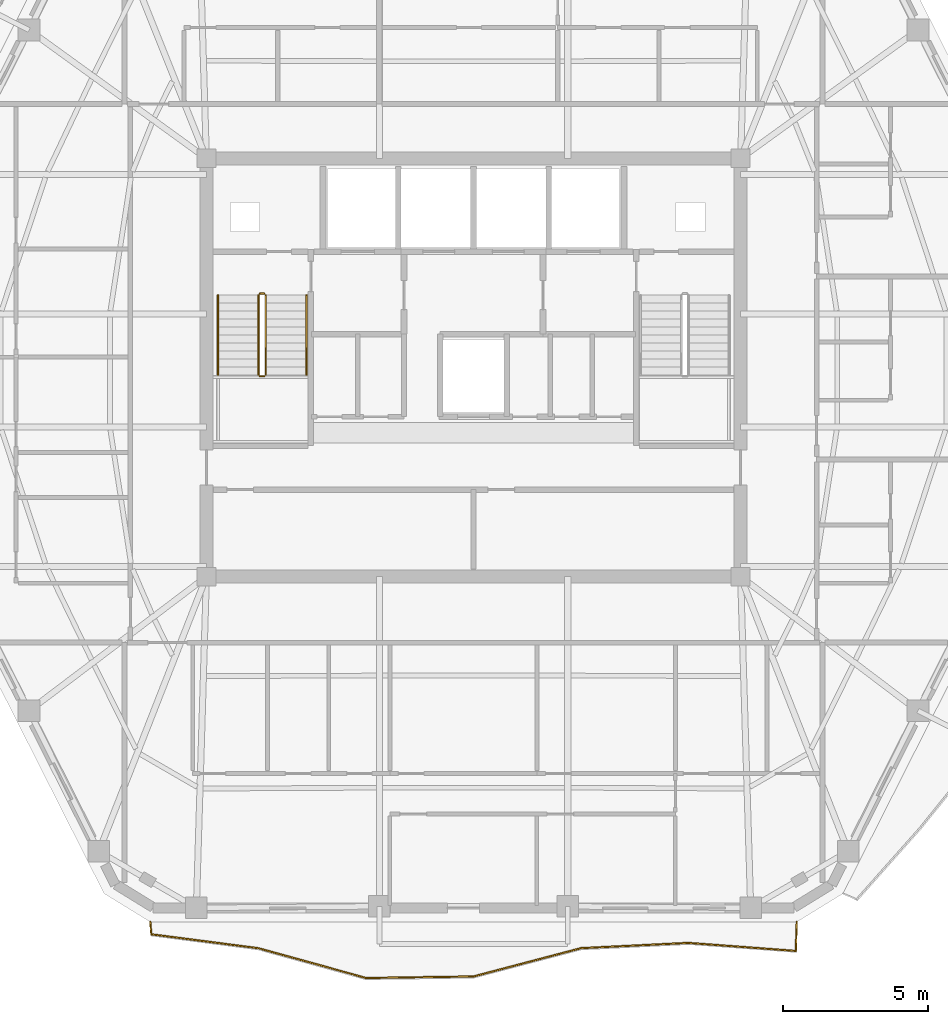
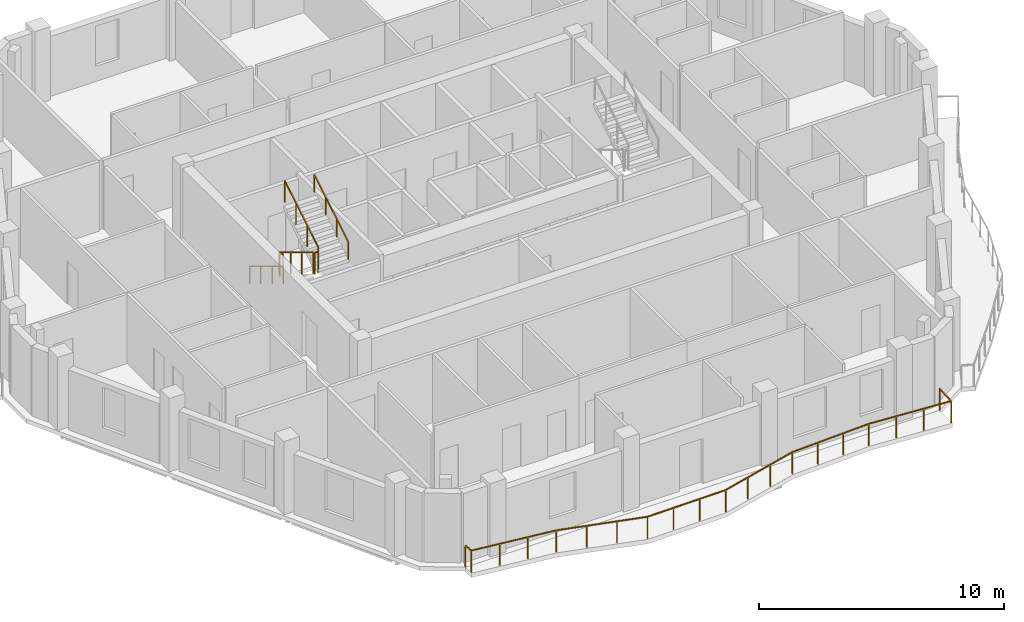
# One storey, part 9 of 11: 7 railings.
"""IFC4 building model written with IfcOpenShell, lengths in metres."""

from ifc_helpers import new_model, si_unit, direction, frame, origin, origin_2d, place, context, subcontext, project, spatial, rectangle, extrude, material, type_object, element, save


model = new_model("IFC4")

# Units and contexts
model_context = context("Model", 3, precision=1e-05, world=origin(), true_north=direction((0.0, 1.0)))
body_context = subcontext(model_context, "Body", "Model", "MODEL_VIEW")
ifc_project = project(units=[si_unit("LENGTHUNIT", "METRE"), si_unit("AREAUNIT", "SQUARE_METRE"), si_unit("VOLUMEUNIT", "CUBIC_METRE"), si_unit("PLANEANGLEUNIT", "RADIAN"), si_unit("MASSUNIT", "GRAM", prefix="KILO")], contexts=[model_context])

# Site, building, storey
site_placement = place(None, origin())
site = spatial("IfcSite", under=ifc_project, at=site_placement, CompositionType="ELEMENT")
building_placement = place(site_placement, origin())
building = spatial("IfcBuilding", under=site, at=building_placement, Name="Cinnabar Lancet Tower", CompositionType="ELEMENT")
storey_placement = place(building_placement, frame((0.0, 0.0, 248.89990234375)))
storey = spatial("IfcBuildingStorey", under=building, at=storey_placement, Name="L66", CompositionType="ELEMENT", Elevation=248.89990234375)

# Railings
ifc_material_1 = material(Name="Laminated safety glass and bronze stainless steel balustrade", Category="steel")
railing_type_1 = type_object("IfcRailingType", Name="ENV-RLG-BAL-1100", PredefinedType="BALUSTRADE", material=ifc_material_1)
railing_1_placement = place(storey_placement, frame((21.236083984375, 6.75, 0.0)))
element("IfcRailing", 1, at=railing_1_placement, inside=storey, type_object=railing_type_1, Name="L66 Face 1 Wave Balcony Balustrade", PredefinedType="BALUSTRADE", context=body_context, shape_type="SweptSolid", body=[
    extrude(rectangle(XDim=0.048095703125, YDim=0.048095703125, at=origin_2d()), frame((0.0, 0.0, 1.076171875), z_axis=(0.081861032024, -0.996643753523, 0.0), x_axis=(0.996643753523, 0.081861032024, 0.0)), (0.0, 0.0, 1.0), 0.426513671875),
    extrude(rectangle(XDim=0.048095703125, YDim=0.048095703125, at=origin_2d()), frame((0.034912109375, -0.425048828125, 1.076171875), z_axis=(0.991667959862, -0.128820252222, 0.0), x_axis=(0.128820252222, 0.991667959862, 0.0)), (0.0, 0.0, 1.0), 3.7412109375),
    extrude(rectangle(XDim=0.048095703125, YDim=0.048095703125, at=origin_2d()), frame((3.744873046875, -0.906982421875, 1.076171875), z_axis=(0.963748339114, -0.266812928577, 0.0), x_axis=(0.266812928577, 0.963748339114, 0.0)), (0.0, 0.0, 1.0), 3.849609375),
    extrude(rectangle(XDim=0.048095703125, YDim=0.048095703125, at=origin_2d()), frame((7.454833984375, -1.93408203125, 1.076171875), z_axis=(0.999898001657, 0.014282376669, 0.0), x_axis=(-0.014282376669, 0.999898001657, 0.0)), (0.0, 0.0, 1.0), 3.70947265625),
    extrude(rectangle(XDim=0.048095703125, YDim=0.048095703125, at=origin_2d()), frame((11.163818359375, -1.881103515625, 1.076171875), z_axis=(0.96699366608, 0.254800411618, 0.0), x_axis=(-0.254800411618, 0.96699366608, 0.0)), (0.0, 0.0, 1.0), 3.83447265625),
    extrude(rectangle(XDim=0.048095703125, YDim=0.048095703125, at=origin_2d()), frame((14.871826171875, -0.904052734375, 1.076171875), z_axis=(0.998797326033, 0.049029598291, 0.0), x_axis=(-0.049029598291, 0.998797326033, 0.0)), (0.0, 0.0, 1.0), 3.714599609375),
    extrude(rectangle(XDim=0.048095703125, YDim=0.048095703125, at=origin_2d()), frame((18.58203125, -0.721923828125, 1.076171875), z_axis=(0.997225176028, -0.074444263009, 0.0), x_axis=(0.074444263009, 0.997225176028, 0.0)), (0.0, 0.0, 1.0), 3.72216796875),
    extrude(rectangle(XDim=0.048095703125, YDim=0.048095703125, at=origin_2d()), frame((22.2939453125, -0.9990234375, 1.076171875), z_axis=(0.033949138587, 0.999423561854, 0.0), x_axis=(-0.999423561854, 0.033949138587, 0.0)), (0.0, 0.0, 1.0), 0.99951171875),
    extrude(rectangle(XDim=0.0419921875, YDim=0.0419921875, at=origin_2d()), origin(), (0.0, 0.0, 1.0), 1.052001953125),
    extrude(rectangle(XDim=0.0419921875, YDim=0.0419921875, at=origin_2d()), frame((0.034912109375, -0.425048828125, 0.0)), (0.0, 0.0, 1.0), 1.052001953125),
    extrude(rectangle(XDim=0.0419921875, YDim=0.0419921875, at=origin_2d()), frame((1.271484375, -0.585693359375, 0.0)), (0.0, 0.0, 1.0), 1.052001953125),
    extrude(rectangle(XDim=0.0419921875, YDim=0.0419921875, at=origin_2d()), frame((2.50830078125, -0.746337890625, 0.0)), (0.0, 0.0, 1.0), 1.052001953125),
    extrude(rectangle(XDim=0.0419921875, YDim=0.0419921875, at=origin_2d()), frame((3.744873046875, -0.906982421875, 0.0)), (0.0, 0.0, 1.0), 1.052001953125),
    extrude(rectangle(XDim=0.0419921875, YDim=0.0419921875, at=origin_2d()), frame((4.9814453125, -1.249267578125, 0.0)), (0.0, 0.0, 1.0), 1.052001953125),
    extrude(rectangle(XDim=0.0419921875, YDim=0.0419921875, at=origin_2d()), frame((6.21826171875, -1.591796875, 0.0)), (0.0, 0.0, 1.0), 1.052001953125),
    extrude(rectangle(XDim=0.0419921875, YDim=0.0419921875, at=origin_2d()), frame((7.454833984375, -1.93408203125, 0.0)), (0.0, 0.0, 1.0), 1.052001953125),
    extrude(rectangle(XDim=0.0419921875, YDim=0.0419921875, at=origin_2d()), frame((8.691162109375, -1.91650390625, 0.0)), (0.0, 0.0, 1.0), 1.052001953125),
    extrude(rectangle(XDim=0.0419921875, YDim=0.0419921875, at=origin_2d()), frame((9.927490234375, -1.898681640625, 0.0)), (0.0, 0.0, 1.0), 1.052001953125),
    extrude(rectangle(XDim=0.0419921875, YDim=0.0419921875, at=origin_2d()), frame((11.163818359375, -1.881103515625, 0.0)), (0.0, 0.0, 1.0), 1.052001953125),
    extrude(rectangle(XDim=0.0419921875, YDim=0.0419921875, at=origin_2d()), frame((12.39990234375, -1.555419921875, 0.0)), (0.0, 0.0, 1.0), 1.052001953125),
    extrude(rectangle(XDim=0.0419921875, YDim=0.0419921875, at=origin_2d()), frame((13.6357421875, -1.229736328125, 0.0)), (0.0, 0.0, 1.0), 1.052001953125),
    extrude(rectangle(XDim=0.0419921875, YDim=0.0419921875, at=origin_2d()), frame((14.871826171875, -0.904052734375, 0.0)), (0.0, 0.0, 1.0), 1.052001953125),
    extrude(rectangle(XDim=0.0419921875, YDim=0.0419921875, at=origin_2d()), frame((16.108642578125, -0.84326171875, 0.0)), (0.0, 0.0, 1.0), 1.052001953125),
    extrude(rectangle(XDim=0.0419921875, YDim=0.0419921875, at=origin_2d()), frame((17.34521484375, -0.78271484375, 0.0)), (0.0, 0.0, 1.0), 1.052001953125),
    extrude(rectangle(XDim=0.0419921875, YDim=0.0419921875, at=origin_2d()), frame((18.58203125, -0.721923828125, 0.0)), (0.0, 0.0, 1.0), 1.052001953125),
    extrude(rectangle(XDim=0.0419921875, YDim=0.0419921875, at=origin_2d()), frame((19.8193359375, -0.814208984375, 0.0)), (0.0, 0.0, 1.0), 1.052001953125),
    extrude(rectangle(XDim=0.0419921875, YDim=0.0419921875, at=origin_2d()), frame((21.056640625, -0.90673828125, 0.0)), (0.0, 0.0, 1.0), 1.052001953125),
    extrude(rectangle(XDim=0.0419921875, YDim=0.0419921875, at=origin_2d()), frame((22.2939453125, -0.9990234375, 0.0)), (0.0, 0.0, 1.0), 1.052001953125),
    extrude(rectangle(XDim=0.0419921875, YDim=0.0419921875, at=origin_2d()), frame((22.327880859375, 0.0, 0.0)), (0.0, 0.0, 1.0), 1.052001953125),
])
ifc_material_2 = material(Name="Painted galvanized steel balustrade", Category="steel")
railing_type_2 = type_object("IfcRailingType", Name="GUARD-STAIR", PredefinedType="GUARDRAIL", material=ifc_material_2)
railing_2_placement = place(storey_placement, frame((24.97509765625, 28.39990234375, 0.166015625)))
element("IfcRailing", 2, at=railing_2_placement, inside=storey, type_object=railing_type_2, Name="L66 ST-1 stair guard 1", PredefinedType="GUARDRAIL", context=body_context, shape_type="SweptSolid", body=[
    extrude(rectangle(XDim=0.048095703125, YDim=0.048095703125, at=origin_2d()), frame((0.0, 0.0, 1.076171875), z_axis=(0.0, -0.856229400918, 0.51659579267), x_axis=(1.0, 0.0, 0.0)), (0.0, 0.0, 1.0), 3.211669921875),
    extrude(rectangle(XDim=0.0419921875, YDim=0.0419921875, at=origin_2d()), origin(), (0.0, 0.0, 1.0), 1.052001953125),
    extrude(rectangle(XDim=0.0419921875, YDim=0.0419921875, at=origin_2d()), frame((0.0, -0.916748046875, 0.552978515625)), (0.0, 0.0, 1.0), 1.052001953125),
    extrude(rectangle(XDim=0.0419921875, YDim=0.0419921875, at=origin_2d()), frame((0.0, -1.833251953125, 1.106201171875)), (0.0, 0.0, 1.0), 1.052001953125),
    extrude(rectangle(XDim=0.0419921875, YDim=0.0419921875, at=origin_2d()), frame((0.0, -2.75, 1.6591796875)), (0.0, 0.0, 1.0), 1.052001953125),
])
railing_3_placement = place(storey_placement, frame((25.02490234375, 25.60009765625, 1.8251953125)))
element("IfcRailing", 3, at=railing_3_placement, inside=storey, type_object=railing_type_2, Name="L66 ST-1 stair guard 2", PredefinedType="GUARDRAIL", context=body_context, shape_type="SweptSolid", body=[
    extrude(rectangle(XDim=0.048095703125, YDim=0.048095703125, at=origin_2d()), frame((0.0, 0.0, 1.076171875), z_axis=(1.0, 0.0, 0.0), x_axis=(0.0, 1.0, 0.0)), (0.0, 0.0, 1.0), 0.150146484375),
    extrude(rectangle(XDim=0.0419921875, YDim=0.0419921875, at=origin_2d()), origin(), (0.0, 0.0, 1.0), 1.052001953125),
    extrude(rectangle(XDim=0.0419921875, YDim=0.0419921875, at=origin_2d()), frame((0.150146484375, 0.0, 0.0)), (0.0, 0.0, 1.0), 1.052001953125),
])
railing_4_placement = place(storey_placement, frame((25.22509765625, 25.64990234375, 1.990966796875)))
element("IfcRailing", 4, at=railing_4_placement, inside=storey, type_object=railing_type_2, Name="L66 ST-1 stair guard 3", PredefinedType="GUARDRAIL", context=body_context, shape_type="SweptSolid", body=[
    extrude(rectangle(XDim=0.048095703125, YDim=0.048095703125, at=origin_2d()), frame((0.0, 0.0, 1.076171875), z_axis=(0.0, 0.856229400918, 0.51659579267), x_axis=(-1.0, 0.0, 0.0)), (0.0, 0.0, 1.0), 3.211669921875),
    extrude(rectangle(XDim=0.0419921875, YDim=0.0419921875, at=origin_2d()), origin(), (0.0, 0.0, 1.0), 1.052001953125),
    extrude(rectangle(XDim=0.0419921875, YDim=0.0419921875, at=origin_2d()), frame((0.0, 0.916748046875, 0.552978515625)), (0.0, 0.0, 1.0), 1.052001953125),
    extrude(rectangle(XDim=0.0419921875, YDim=0.0419921875, at=origin_2d()), frame((0.0, 1.833251953125, 1.106201171875)), (0.0, 0.0, 1.0), 1.052001953125),
    extrude(rectangle(XDim=0.0419921875, YDim=0.0419921875, at=origin_2d()), frame((0.0, 2.75, 1.6591796875)), (0.0, 0.0, 1.0), 1.052001953125),
])
railing_5_placement = place(storey_placement, frame((25.02490234375, 28.449951171875, 0.0)))
element("IfcRailing", 5, at=railing_5_placement, inside=storey, type_object=railing_type_2, Name="L66 ST-1 stair guard 4", PredefinedType="GUARDRAIL", context=body_context, shape_type="SweptSolid", body=[
    extrude(rectangle(XDim=0.048095703125, YDim=0.048095703125, at=origin_2d()), frame((0.0, 0.0, 1.076171875), z_axis=(1.0, 0.0, 0.0), x_axis=(0.0, 1.0, 0.0)), (0.0, 0.0, 1.0), 0.150146484375),
    extrude(rectangle(XDim=0.0419921875, YDim=0.0419921875, at=origin_2d()), origin(), (0.0, 0.0, 1.0), 1.052001953125),
    extrude(rectangle(XDim=0.0419921875, YDim=0.0419921875, at=origin_2d()), frame((0.150146484375, 0.0, 0.0)), (0.0, 0.0, 1.0), 1.052001953125),
])
ifc_material_3 = material(Name="Brushed stainless steel handrail", Category="steel")
railing_type_3 = type_object("IfcRailingType", Name="HANDRAIL-STAIR", PredefinedType="HANDRAIL", material=ifc_material_3)
railing_6_placement = place(storey_placement, frame((23.574951171875, 28.39990234375, 0.166015625)))
element("IfcRailing", 6, at=railing_6_placement, inside=storey, type_object=railing_type_3, Name="L66 ST-1 stair handrail 1", PredefinedType="HANDRAIL", context=body_context, shape_type="SweptSolid", body=[
    extrude(rectangle(XDim=0.048095703125, YDim=0.048095703125, at=origin_2d()), frame((0.0, 0.0, 0.8759765625), z_axis=(0.0, -0.856229400918, 0.51659579267), x_axis=(1.0, 0.0, 0.0)), (0.0, 0.0, 1.0), 3.211669921875),
    extrude(rectangle(XDim=0.0419921875, YDim=0.0419921875, at=origin_2d()), origin(), (0.0, 0.0, 1.0), 0.851806640625),
    extrude(rectangle(XDim=0.0419921875, YDim=0.0419921875, at=origin_2d()), frame((0.0, -0.916748046875, 0.552978515625)), (0.0, 0.0, 1.0), 0.851806640625),
    extrude(rectangle(XDim=0.0419921875, YDim=0.0419921875, at=origin_2d()), frame((0.0, -1.833251953125, 1.106201171875)), (0.0, 0.0, 1.0), 0.851806640625),
    extrude(rectangle(XDim=0.0419921875, YDim=0.0419921875, at=origin_2d()), frame((0.0, -2.75, 1.6591796875)), (0.0, 0.0, 1.0), 0.851806640625),
])
railing_7_placement = place(storey_placement, frame((26.625, 25.64990234375, 1.990966796875)))
element("IfcRailing", 7, at=railing_7_placement, inside=storey, type_object=railing_type_3, Name="L66 ST-1 stair handrail 2", PredefinedType="HANDRAIL", context=body_context, shape_type="SweptSolid", body=[
    extrude(rectangle(XDim=0.048095703125, YDim=0.048095703125, at=origin_2d()), frame((0.0, 0.0, 0.8759765625), z_axis=(0.0, 0.856229400918, 0.51659579267), x_axis=(-1.0, 0.0, 0.0)), (0.0, 0.0, 1.0), 3.211669921875),
    extrude(rectangle(XDim=0.0419921875, YDim=0.0419921875, at=origin_2d()), origin(), (0.0, 0.0, 1.0), 0.851806640625),
    extrude(rectangle(XDim=0.0419921875, YDim=0.0419921875, at=origin_2d()), frame((0.0, 0.916748046875, 0.552978515625)), (0.0, 0.0, 1.0), 0.851806640625),
    extrude(rectangle(XDim=0.0419921875, YDim=0.0419921875, at=origin_2d()), frame((0.0, 1.833251953125, 1.106201171875)), (0.0, 0.0, 1.0), 0.851806640625),
    extrude(rectangle(XDim=0.0419921875, YDim=0.0419921875, at=origin_2d()), frame((0.0, 2.75, 1.6591796875)), (0.0, 0.0, 1.0), 0.851806640625),
])

save(model, "model.ifc")
